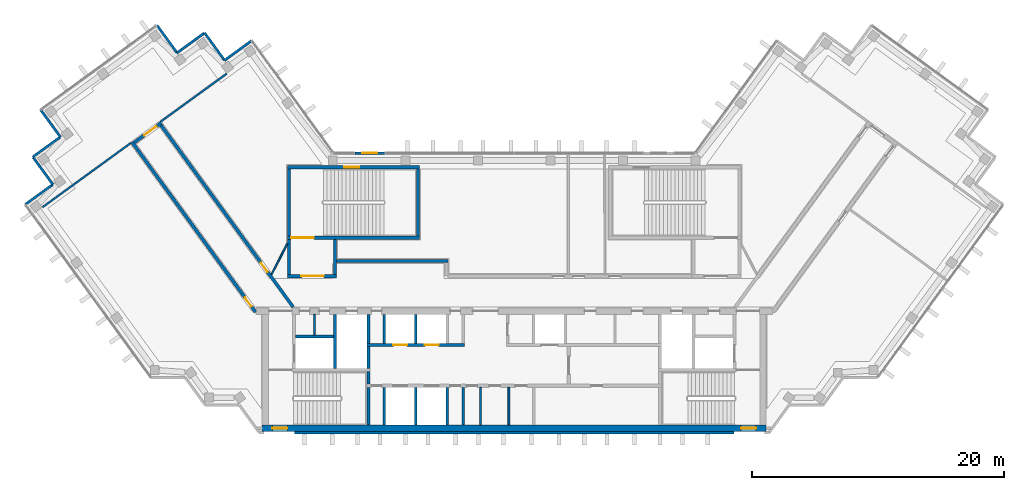
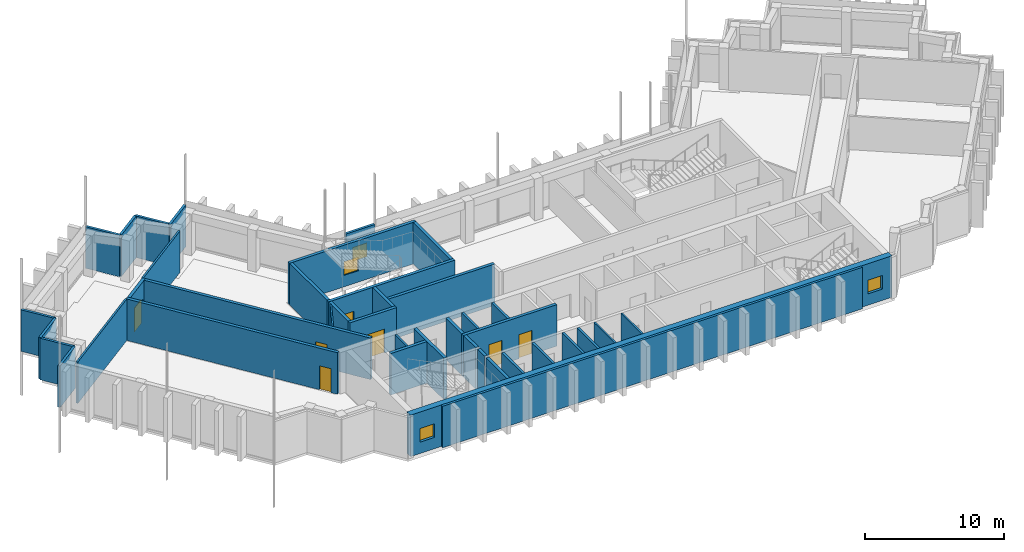
# One storey, part 8 of 13: 41 walls, 7 doors, 4 windows, 11 openings.
"""IFC4 building model written with IfcOpenShell, lengths in metres."""

from ifc_helpers import new_model, si_unit, direction, frame, frame_2d, origin, place, context, subcontext, project, spatial, rectangle, extrude, material, layer, layer_set, type_object, element, fill, save


model = new_model("IFC4")

# Units and contexts
model_context = context("Model", 3, precision=1e-05, world=origin(), true_north=direction((0.0, 1.0)))
body_context = subcontext(model_context, "Body", "Model", "MODEL_VIEW")
ifc_project = project(units=[si_unit("LENGTHUNIT", "METRE"), si_unit("AREAUNIT", "SQUARE_METRE"), si_unit("VOLUMEUNIT", "CUBIC_METRE"), si_unit("PLANEANGLEUNIT", "RADIAN"), si_unit("MASSUNIT", "GRAM", prefix="KILO")], contexts=[model_context])

# Site, building, storey
site_placement = place(None, origin())
site = spatial("IfcSite", under=ifc_project, at=site_placement, CompositionType="ELEMENT")
building_placement = place(site_placement, origin())
building = spatial("IfcBuilding", under=site, at=building_placement, Name="Quipu Civic Tower", CompositionType="ELEMENT")
storey_placement = place(building_placement, frame((0.0, 0.0, 347.0)))
storey = spatial("IfcBuildingStorey", under=building, at=storey_placement, Name="L81", CompositionType="ELEMENT", Elevation=347.0)

# Walls
ifc_material_1 = material(Name="Double gypsum plasterboard with mineral wool")
ifc_layer_1 = layer(ifc_material_1, 0.14990234375)
ifc_layer_set_1 = layer_set([ifc_layer_1], Name="Double gypsum plasterboard with mineral wool")
wall_type_1 = type_object("IfcWallType", Name="Acoustic partition 150 plasterboard", PredefinedType="PARTITIONING", material=ifc_layer_set_1)
wall_1_placement = place(storey_placement, frame((-22.818359375, 17.39599609375, 0.0), z_axis=(0.0, 0.0, 1.0), x_axis=(-0.809000932727, -0.587807358619, 0.0)))
element("IfcWall", 1, at=wall_1_placement, inside=storey, type_object=wall_type_1, Name="Partition P04", PredefinedType="PARTITIONING", context=body_context, shape_type="SweptSolid", body=[
    extrude(rectangle(XDim=6.49560546875, YDim=0.14990234375, at=frame_2d((3.247802734375, 0.0))), origin(), (0.0, 0.0, 1.0), 3.64990234375),
])
wall_2_placement = place(storey_placement, frame((-37.42919921875, 6.805419921875, 0.0), z_axis=(0.0, 0.0, 1.0), x_axis=(0.809020922653, 0.587779845444, 0.0)))
element("IfcWall", 2, at=wall_2_placement, inside=storey, type_object=wall_type_1, Name="Partition P05", PredefinedType="PARTITIONING", context=body_context, shape_type="SweptSolid", body=[
    extrude(rectangle(XDim=8.670166015625, YDim=0.14990234375, at=frame_2d((4.3349609375, 0.0))), origin(), (0.0, 0.0, 1.0), 3.64990234375),
])
ifc_material_2 = material(Name="Concrete C70/85", Category="concrete")
ifc_layer_2 = layer(ifc_material_2, 0.25)
ifc_layer_set_2 = layer_set([ifc_layer_2], Name="Concrete C70/85")
wall_type_2 = type_object("IfcWallType", Name="Core wall 250", PredefinedType="SHEAR", material=ifc_layer_set_2)
wall_3_placement = place(storey_placement, frame((-11.574951171875, -10.5, 0.0), z_axis=(0.0, 0.0, 1.0), x_axis=(0.0, 1.0, 0.0)))
element("IfcWall", 3, at=wall_3_placement, inside=storey, type_object=wall_type_2, Name="Core wall", PredefinedType="SHEAR", context=body_context, shape_type="SweptSolid", body=[
    extrude(rectangle(XDim=3.0, YDim=0.25, at=frame_2d((1.5, 0.0))), origin(), (0.0, 0.0, 1.0), 3.64990234375),
])
wall_4_placement = place(storey_placement, frame((-11.574951171875, -7.25, 0.0), z_axis=(0.0, 0.0, 1.0), x_axis=(0.0, 1.0, 0.0)))
element("IfcWall", 4, at=wall_4_placement, inside=storey, type_object=wall_type_2, Name="Core wall", PredefinedType="SHEAR", context=body_context, shape_type="SweptSolid", body=[
    extrude(rectangle(XDim=1.0, YDim=0.25, at=frame_2d((0.5, 0.0))), origin(), (0.0, 0.0, 1.0), 3.64990234375),
])
wall_5_placement = place(storey_placement, frame((-14.22509765625, -6.0, 0.0), z_axis=(0.0, 0.0, 1.0), x_axis=(0.0, 1.0, 0.0)))
element("IfcWall", 5, at=wall_5_placement, inside=storey, type_object=wall_type_2, Name="Core wall", PredefinedType="SHEAR", context=body_context, shape_type="SweptSolid", body=[
    extrude(rectangle(XDim=4.300048828125, YDim=0.25, at=frame_2d((2.14990234375, 0.0))), origin(), (0.0, 0.0, 1.0), 3.64990234375),
])
wall_6_placement = place(storey_placement, frame((-11.574951171875, -6.0, 0.0), z_axis=(0.0, 0.0, 1.0), x_axis=(0.0, 1.0, 0.0)))
element("IfcWall", 6, at=wall_6_placement, inside=storey, type_object=wall_type_2, Name="Core wall", PredefinedType="SHEAR", context=body_context, shape_type="SweptSolid", body=[
    extrude(rectangle(XDim=1.75, YDim=0.25, at=frame_2d((0.875, 0.0))), origin(), (0.0, 0.0, 1.0), 3.64990234375),
])

# Wall, openings, doors
wall_7_placement = place(storey_placement, frame((-11.699951171875, -4.125, 0.0), z_axis=(0.0, 0.0, 1.0), x_axis=(1.0, 0.0, 0.0)))
wall_7 = element("IfcWall", 7, at=wall_7_placement, inside=storey, type_object=wall_type_2, Name="Core wall", PredefinedType="SHEAR", context=body_context, shape_type="SweptSolid", body=[
    extrude(rectangle(XDim=7.75, YDim=0.25, at=frame_2d((3.875, 0.0))), origin(), (0.0, 0.0, 1.0), 3.64990234375),
])
opening_1_placement = place(wall_7_placement, frame((2.10009765625, 0.0, 0.0)))
opening_1 = element("IfcOpeningElement", 8, at=opening_1_placement, cuts=wall_7, Name="Opening LD-HL3", PredefinedType="OPENING", context=body_context, shape_type="SweptSolid", body=[
    extrude(rectangle(XDim=1.10009765625, YDim=2.10009765625, at=frame_2d((0.550048828125, 1.050048828125))), frame((0.0, 0.135009765625, 0.0), z_axis=(0.0, -1.0, 0.0), x_axis=(1.0, 0.0, 0.0)), (0.0, 0.0, 1.0), 0.27001953125),
])
opening_2_placement = place(wall_7_placement, frame((4.60009765625, 0.0, 0.0)))
opening_2 = element("IfcOpeningElement", 9, at=opening_2_placement, cuts=wall_7, Name="Opening LD-HL4", PredefinedType="OPENING", context=body_context, shape_type="SweptSolid", body=[
    extrude(rectangle(XDim=1.10009765625, YDim=2.10009765625, at=frame_2d((0.550048828125, 1.050048828125))), frame((0.0, 0.135009765625, 0.0), z_axis=(0.0, -1.0, 0.0), x_axis=(1.0, 0.0, 0.0)), (0.0, 0.0, 1.0), 0.27001953125),
])
ifc_material_3 = material(Name="Stainless steel", Category="steel")
door_type_1 = type_object("IfcDoorType", Name="Lift landing door 1100 x 2100", OperationType="DOUBLE_DOOR_SLIDING", PredefinedType="DOOR", material=ifc_material_3)
door_1_placement = place(opening_1_placement, origin())
door_1 = element("IfcDoor", 10, at=door_1_placement, inside=storey, type_object=door_type_1, Name="Landing door HL3", OperationType="DOUBLE_DOOR_SLIDING", OverallHeight=2.10009765625, OverallWidth=1.10009765625, PredefinedType="DOOR", context=body_context, shape_type="SweptSolid", body=[
    extrude(rectangle(XDim=1.10009765625, YDim=2.10009765625, at=frame_2d((0.550048828125, 1.050048828125))), frame((0.0, 0.02490234375, 0.0), z_axis=(0.0, -1.0, 0.0), x_axis=(1.0, 0.0, 0.0)), (0.0, 0.0, 1.0), 0.050048828125),
])
fill(opening_1, door_1)
door_2_placement = place(opening_2_placement, origin())
door_2 = element("IfcDoor", 11, at=door_2_placement, inside=storey, type_object=door_type_1, Name="Landing door HL4", OperationType="DOUBLE_DOOR_SLIDING", OverallHeight=2.10009765625, OverallWidth=1.10009765625, PredefinedType="DOOR", context=body_context, shape_type="SweptSolid", body=[
    extrude(rectangle(XDim=1.10009765625, YDim=2.10009765625, at=frame_2d((0.550048828125, 1.050048828125))), frame((0.0, 0.02490234375, 0.0), z_axis=(0.0, -1.0, 0.0), x_axis=(1.0, 0.0, 0.0)), (0.0, 0.0, 1.0), 0.050048828125),
])
fill(opening_2, door_2)

# Walls
wall_8_placement = place(storey_placement, frame((-11.574951171875, -4.0, 0.0), z_axis=(0.0, 0.0, 1.0), x_axis=(0.0, 1.0, 0.0)))
element("IfcWall", 12, at=wall_8_placement, inside=storey, type_object=wall_type_2, Name="Core wall", PredefinedType="SHEAR", context=body_context, shape_type="SweptSolid", body=[
    extrude(rectangle(XDim=2.300048828125, YDim=0.25, at=frame_2d((1.14990234375, 0.0))), origin(), (0.0, 0.0, 1.0), 3.64990234375),
])
wall_9_placement = place(storey_placement, frame((-17.35009765625, -3.47509765625, 0.0), z_axis=(0.0, 0.0, 1.0), x_axis=(1.0, 0.0, 0.0)))
element("IfcWall", 13, at=wall_9_placement, inside=storey, type_object=wall_type_2, Name="Core wall", PredefinedType="SHEAR", context=body_context, shape_type="SweptSolid", body=[
    extrude(rectangle(XDim=3.0, YDim=0.25, at=frame_2d((1.5, 0.0))), origin(), (0.0, 0.0, 1.0), 3.64990234375),
])

# Wall, opening, door
wall_10_placement = place(storey_placement, frame((-18.0, 1.324951171875, 0.0), z_axis=(0.0, 0.0, 1.0), x_axis=(1.0, 0.0, 0.0)))
wall_10 = element("IfcWall", 14, at=wall_10_placement, inside=storey, type_object=wall_type_2, Name="Core wall", PredefinedType="SHEAR", context=body_context, shape_type="SweptSolid", body=[
    extrude(rectangle(XDim=3.89990234375, YDim=0.25, at=frame_2d((1.949951171875, 0.0))), origin(), (0.0, 0.0, 1.0), 3.64990234375),
])
opening_3_placement = place(wall_10_placement, frame((1.10009765625, 0.0, 0.0)))
opening_3 = element("IfcOpeningElement", 15, at=opening_3_placement, cuts=wall_10, Name="Opening CD-23", PredefinedType="OPENING", context=body_context, shape_type="SweptSolid", body=[
    extrude(rectangle(XDim=1.800048828125, YDim=2.10009765625, at=frame_2d((0.89990234375, 1.050048828125))), frame((0.0, 0.135009765625, 0.0), z_axis=(0.0, -1.0, 0.0), x_axis=(1.0, 0.0, 0.0)), (0.0, 0.0, 1.0), 0.27001953125),
])
ifc_material_4 = material(Name="Fire rated steel door", Category="steel")
door_type_2 = type_object("IfcDoorType", Name="Fire door FD90 double 1800 x 2100", OperationType="NOTDEFINED", PredefinedType="DOOR", material=ifc_material_4)
door_3_placement = place(opening_3_placement, origin())
door_3 = element("IfcDoor", 16, at=door_3_placement, inside=storey, type_object=door_type_2, Name="Lobby door", OperationType="DOUBLE_DOOR_SINGLE_SWING", OverallHeight=2.10009765625, OverallWidth=1.800048828125, PredefinedType="DOOR", context=body_context, shape_type="SweptSolid", body=[
    extrude(rectangle(XDim=1.800048828125, YDim=2.10009765625, at=frame_2d((0.89990234375, 1.050048828125))), frame((0.0, 0.02490234375, 0.0), z_axis=(0.0, -1.0, 0.0), x_axis=(1.0, 0.0, 0.0)), (0.0, 0.0, 1.0), 0.050048828125),
])
fill(opening_3, door_3)

# Walls
for number, where, z_axis, x_axis, name in (
    (17, (-17.875, 1.449951171875, 0.0), (0.0, 0.0, 1.0), (0.0, 1.0, 0.0), "Core wall"),
    (18, (-14.22509765625, 1.449951171875, 0.0), (0.0, 0.0, 1.0), (0.0, 1.0, 0.0), "Core wall"),
):
    element("IfcWall", number, at=place(storey_placement, frame(where, z_axis=z_axis, x_axis=x_axis)), inside=storey, type_object=wall_type_2, Name=name, PredefinedType="SHEAR", context=body_context, shape_type="SweptSolid", body=[
        extrude(rectangle(XDim=2.800048828125, YDim=0.25, at=frame_2d((1.39990234375, 0.0))), origin(), (0.0, 0.0, 1.0), 3.64990234375),
    ])

# Wall, opening, door
wall_11_placement = place(storey_placement, frame((-18.0, 4.375, 0.0), z_axis=(0.0, 0.0, 1.0), x_axis=(1.0, 0.0, 0.0)))
wall_11 = element("IfcWall", 19, at=wall_11_placement, inside=storey, type_object=wall_type_2, Name="Core wall", PredefinedType="SHEAR", context=body_context, shape_type="SweptSolid", body=[
    extrude(rectangle(XDim=10.5, YDim=0.25, at=frame_2d((5.25, 0.0))), origin(), (0.0, 0.0, 1.0), 3.64990234375),
])
opening_4_placement = place(wall_11_placement, frame((0.300048828125, 0.0, 0.0)))
opening_4 = element("IfcOpeningElement", 20, at=opening_4_placement, cuts=wall_11, Name="Opening CD-24", PredefinedType="OPENING", context=body_context, shape_type="SweptSolid", body=[
    extrude(rectangle(XDim=1.800048828125, YDim=2.10009765625, at=frame_2d((0.89990234375, 1.050048828125))), frame((0.0, 0.135009765625, 0.0), z_axis=(0.0, -1.0, 0.0), x_axis=(1.0, 0.0, 0.0)), (0.0, 0.0, 1.0), 0.27001953125),
])
door_4_placement = place(opening_4_placement, origin())
door_4 = element("IfcDoor", 21, at=door_4_placement, inside=storey, type_object=door_type_2, Name="Door", OperationType="DOUBLE_DOOR_SINGLE_SWING", OverallHeight=2.10009765625, OverallWidth=1.800048828125, PredefinedType="DOOR", context=body_context, shape_type="SweptSolid", body=[
    extrude(rectangle(XDim=1.800048828125, YDim=2.10009765625, at=frame_2d((0.89990234375, 1.050048828125))), frame((0.0, 0.02490234375, 0.0), z_axis=(0.0, -1.0, 0.0), x_axis=(1.0, 0.0, 0.0)), (0.0, 0.0, 1.0), 0.050048828125),
])
fill(opening_4, door_4)

# Walls
for number, where, z_axis, x_axis, name in (
    (22, (-17.875, 4.5, 0.0), (0.0, 0.0, 1.0), (0.0, 1.0, 0.0), "Core wall"),
    (23, (-7.625, 4.5, 0.0), (0.0, 0.0, 1.0), (0.0, 1.0, 0.0), "Core wall"),
):
    element("IfcWall", number, at=place(storey_placement, frame(where, z_axis=z_axis, x_axis=x_axis)), inside=storey, type_object=wall_type_2, Name=name, PredefinedType="SHEAR", context=body_context, shape_type="SweptSolid", body=[
        extrude(rectangle(XDim=5.35009765625, YDim=0.25, at=frame_2d((2.675048828125, 0.0))), origin(), (0.0, 0.0, 1.0), 3.64990234375),
    ])

# Wall, opening, window
wall_12_placement = place(storey_placement, frame((-18.0, 9.97509765625, 0.0), z_axis=(0.0, 0.0, 1.0), x_axis=(1.0, 0.0, 0.0)))
wall_12 = element("IfcWall", 24, at=wall_12_placement, inside=storey, type_object=wall_type_2, Name="Core wall", PredefinedType="SHEAR", context=body_context, shape_type="SweptSolid", body=[
    extrude(rectangle(XDim=10.5, YDim=0.25, at=frame_2d((5.25, 0.0))), origin(), (0.0, 0.0, 1.0), 3.64990234375),
])
opening_5_placement = place(wall_12_placement, frame((4.5, 0.0, 1.0)))
opening_5 = element("IfcOpeningElement", 25, at=opening_5_placement, cuts=wall_12, Name="Opening SV-3", PredefinedType="OPENING", context=body_context, shape_type="SweptSolid", body=[
    extrude(rectangle(XDim=1.199951171875, YDim=1.199951171875, at=frame_2d((0.60009765625, 0.60009765625))), frame((0.0, 0.135009765625, 0.0), z_axis=(0.0, -1.0, 0.0), x_axis=(1.0, 0.0, 0.0)), (0.0, 0.0, 1.0), 0.27001953125),
])
ifc_material_5 = material(Name="Aluminium louvre", Category="aluminium")
window_type_1 = type_object("IfcWindowType", Name="Stair ventilation louvre 1200 x 1200", PartitioningType="SINGLE_PANEL", PredefinedType="WINDOW", material=ifc_material_5)
window_1_placement = place(opening_5_placement, origin())
window_1 = element("IfcWindow", 26, at=window_1_placement, inside=storey, type_object=window_type_1, Name="Stair ventilation opening", OverallHeight=1.199951171875, OverallWidth=1.199951171875, PartitioningType="SINGLE_PANEL", PredefinedType="WINDOW", context=body_context, shape_type="SweptSolid", body=[
    extrude(rectangle(XDim=1.199951171875, YDim=1.199951171875, at=frame_2d((0.60009765625, 0.60009765625))), frame((0.0, 0.030029296875, 0.0), z_axis=(0.0, -1.0, 0.0), x_axis=(1.0, 0.0, 0.0)), (0.0, 0.0, 1.0), 0.06005859375),
])
fill(opening_5, window_1)

# Wall, openings, windows
ifc_material_6 = material(Name="Concrete C70/85", Category="concrete")
ifc_layer_3 = layer(ifc_material_6, 0.5)
ifc_layer_set_3 = layer_set([ifc_layer_3], Name="Concrete C70/85")
wall_type_3 = type_object("IfcWallType", Name="Core wall 500", PredefinedType="SHEAR", material=ifc_layer_set_3)
wall_13_placement = place(storey_placement, frame((-20.0, -10.75, 0.0), z_axis=(0.0, 0.0, 1.0), x_axis=(1.0, 0.0, 0.0)))
wall_13 = element("IfcWall", 27, at=wall_13_placement, inside=storey, type_object=wall_type_3, Name="Core wall", PredefinedType="SHEAR", context=body_context, shape_type="SweptSolid", body=[
    extrude(rectangle(XDim=40.0, YDim=0.5, at=frame_2d((20.0, 0.0))), origin(), (0.0, 0.0, 1.0), 3.64990234375),
])
opening_6_placement = place(wall_13_placement, frame((0.800048828125, 0.0, 1.0)))
opening_6 = element("IfcOpeningElement", 28, at=opening_6_placement, cuts=wall_13, Name="Opening SV-1", PredefinedType="OPENING", context=body_context, shape_type="SweptSolid", body=[
    extrude(rectangle(XDim=1.199951171875, YDim=1.199951171875, at=frame_2d((0.60009765625, 0.60009765625))), frame((0.0, 0.260009765625, 0.0), z_axis=(0.0, -1.0, 0.0), x_axis=(1.0, 0.0, 0.0)), (0.0, 0.0, 1.0), 0.52001953125),
])
opening_7_placement = place(wall_13_placement, frame((38.0, 0.0, 1.0)))
opening_7 = element("IfcOpeningElement", 29, at=opening_7_placement, cuts=wall_13, Name="Opening SV-2", PredefinedType="OPENING", context=body_context, shape_type="SweptSolid", body=[
    extrude(rectangle(XDim=1.199951171875, YDim=1.199951171875, at=frame_2d((0.60009765625, 0.60009765625))), frame((0.0, 0.260009765625, 0.0), z_axis=(0.0, -1.0, 0.0), x_axis=(1.0, 0.0, 0.0)), (0.0, 0.0, 1.0), 0.52001953125),
])
window_2_placement = place(opening_6_placement, origin())
window_2 = element("IfcWindow", 30, at=window_2_placement, inside=storey, type_object=window_type_1, Name="Stair ventilation opening", OverallHeight=1.199951171875, OverallWidth=1.199951171875, PartitioningType="SINGLE_PANEL", PredefinedType="WINDOW", context=body_context, shape_type="SweptSolid", body=[
    extrude(rectangle(XDim=1.199951171875, YDim=1.199951171875, at=frame_2d((0.60009765625, 0.60009765625))), frame((0.0, 0.030029296875, 0.0), z_axis=(0.0, -1.0, 0.0), x_axis=(1.0, 0.0, 0.0)), (0.0, 0.0, 1.0), 0.06005859375),
])
fill(opening_6, window_2)
window_3_placement = place(opening_7_placement, origin())
window_3 = element("IfcWindow", 31, at=window_3_placement, inside=storey, type_object=window_type_1, Name="Stair ventilation opening", OverallHeight=1.199951171875, OverallWidth=1.199951171875, PartitioningType="SINGLE_PANEL", PredefinedType="WINDOW", context=body_context, shape_type="SweptSolid", body=[
    extrude(rectangle(XDim=1.199951171875, YDim=1.199951171875, at=frame_2d((0.60009765625, 0.60009765625))), frame((0.0, 0.030029296875, 0.0), z_axis=(0.0, -1.0, 0.0), x_axis=(1.0, 0.0, 0.0)), (0.0, 0.0, 1.0), 0.06005859375),
])
fill(opening_7, window_3)

# Wall, opening, door
ifc_material_7 = material(Name="Concrete C50/60", Category="concrete")
ifc_layer_4 = layer(ifc_material_7, 0.25)
ifc_layer_set_4 = layer_set([ifc_layer_4], Name="Concrete C50/60")
wall_type_4 = type_object("IfcWallType", Name="Corridor wall 250 concrete", PredefinedType="SOLIDWALL", material=ifc_layer_set_4)
wall_14_placement = place(storey_placement, frame((-20.531005859375, -1.5234375, 0.0), z_axis=(0.0, 0.0, 1.0), x_axis=(-0.587785867777, 0.809016547199, 0.0)))
wall_14 = element("IfcWall", 32, at=wall_14_placement, inside=storey, type_object=wall_type_4, Name="Corridor wall C04", PredefinedType="SOLIDWALL", context=body_context, shape_type="SweptSolid", body=[
    extrude(rectangle(XDim=16.67041015625, YDim=0.25, at=frame_2d((8.335205078125, 0.0))), origin(), (0.0, 0.0, 1.0), 3.64990234375),
])
opening_8_placement = place(wall_14_placement, frame((0.53271484375, 0.0, 0.0)))
opening_8 = element("IfcOpeningElement", 33, at=opening_8_placement, cuts=wall_14, Name="Opening D009", PredefinedType="OPENING", context=body_context, shape_type="SweptSolid", body=[
    extrude(rectangle(XDim=0.89990234375, YDim=2.10009765625, at=frame_2d((0.449951171875, 1.050048828125))), frame((0.0, 0.135009765625, 0.0), z_axis=(0.0, -1.0, 0.0), x_axis=(1.0, 0.0, 0.0)), (0.0, 0.0, 1.0), 0.27001953125),
])
ifc_material_8 = material(Name="Fire rated timber door set with metal frame", Category="wood")
door_type_3 = type_object("IfcDoorType", Name="Single door 900 x 2100 FD60", OperationType="NOTDEFINED", PredefinedType="DOOR", material=ifc_material_8)
door_5_placement = place(opening_8_placement, origin())
door_5 = element("IfcDoor", 34, at=door_5_placement, inside=storey, type_object=door_type_3, Name="Door D009", OperationType="SINGLE_SWING_LEFT", OverallHeight=2.10009765625, OverallWidth=0.89990234375, PredefinedType="DOOR", context=body_context, shape_type="SweptSolid", body=[
    extrude(rectangle(XDim=0.89990234375, YDim=2.10009765625, at=frame_2d((0.449951171875, 1.050048828125))), frame((0.0, 0.02490234375, 0.0), z_axis=(0.0, -1.0, 0.0), x_axis=(1.0, 0.0, 0.0)), (0.0, 0.0, 1.0), 0.050048828125),
])
fill(opening_8, door_5)

wall_15_placement = place(storey_placement, frame((-30.155029296875, 11.935546875, 0.0), z_axis=(0.0, 0.0, 1.0), x_axis=(0.809038743598, 0.587755315891, 0.0)))
wall_15 = element("IfcWall", 35, at=wall_15_placement, inside=storey, type_object=wall_type_4, Name="Corridor wall C05", PredefinedType="SOLIDWALL", context=body_context, shape_type="SweptSolid", body=[
    extrude(rectangle(XDim=2.650146484375, YDim=0.25, at=frame_2d((1.3251953125, 0.0))), origin(), (0.0, 0.0, 1.0), 3.64990234375),
])
opening_9_placement = place(wall_15_placement, frame((0.9755859375, 0.0, 0.0)))
opening_9 = element("IfcOpeningElement", 36, at=opening_9_placement, cuts=wall_15, Name="Opening D010", PredefinedType="OPENING", context=body_context, shape_type="SweptSolid", body=[
    extrude(rectangle(XDim=1.199951171875, YDim=2.10009765625, at=frame_2d((0.60009765625, 1.050048828125))), frame((0.0, 0.135009765625, 0.0), z_axis=(0.0, -1.0, 0.0), x_axis=(1.0, 0.0, 0.0)), (0.0, 0.0, 1.0), 0.27001953125),
])
ifc_material_9 = material(Name="Fire rated timber door set with metal frame", Category="wood")
door_type_4 = type_object("IfcDoorType", Name="Single door 1200 x 2100 FD60", OperationType="NOTDEFINED", PredefinedType="DOOR", material=ifc_material_9)
door_6_placement = place(opening_9_placement, origin())
door_6 = element("IfcDoor", 37, at=door_6_placement, inside=storey, type_object=door_type_4, Name="Door D010", OperationType="SINGLE_SWING_RIGHT", OverallHeight=2.10009765625, OverallWidth=1.199951171875, PredefinedType="DOOR", context=body_context, shape_type="SweptSolid", body=[
    extrude(rectangle(XDim=1.199951171875, YDim=2.10009765625, at=frame_2d((0.60009765625, 1.050048828125))), frame((0.0, 0.02490234375, 0.0), z_axis=(0.0, -1.0, 0.0), x_axis=(1.0, 0.0, 0.0)), (0.0, 0.0, 1.0), 0.050048828125),
])
fill(opening_9, door_6)

wall_16_placement = place(storey_placement, frame((-28.038818359375, 13.318603515625, 0.0), z_axis=(0.0, 0.0, 1.0), x_axis=(0.587791911753, -0.809012155952, 0.0)))
wall_16 = element("IfcWall", 38, at=wall_16_placement, inside=storey, type_object=wall_type_4, Name="Corridor wall C06", PredefinedType="SOLIDWALL", context=body_context, shape_type="SweptSolid", body=[
    extrude(rectangle(XDim=17.85302734375, YDim=0.25, at=frame_2d((8.926513671875, 0.0))), origin(), (0.0, 0.0, 1.0), 3.64990234375),
])
opening_10_placement = place(wall_16_placement, frame((13.51171875, 0.0, 0.0)))
opening_10 = element("IfcOpeningElement", 39, at=opening_10_placement, cuts=wall_16, Name="Opening D008", PredefinedType="OPENING", context=body_context, shape_type="SweptSolid", body=[
    extrude(rectangle(XDim=0.89990234375, YDim=2.10009765625, at=frame_2d((0.449951171875, 1.050048828125))), frame((0.0, 0.135009765625, 0.0), z_axis=(0.0, -1.0, 0.0), x_axis=(1.0, 0.0, 0.0)), (0.0, 0.0, 1.0), 0.27001953125),
])
door_7_placement = place(opening_10_placement, origin())
door_7 = element("IfcDoor", 40, at=door_7_placement, inside=storey, type_object=door_type_3, Name="Door D008", OperationType="SINGLE_SWING_RIGHT", OverallHeight=2.10009765625, OverallWidth=0.89990234375, PredefinedType="DOOR", context=body_context, shape_type="SweptSolid", body=[
    extrude(rectangle(XDim=0.89990234375, YDim=2.10009765625, at=frame_2d((0.449951171875, 1.050048828125))), frame((0.0, 0.02490234375, 0.0), z_axis=(0.0, -1.0, 0.0), x_axis=(1.0, 0.0, 0.0)), (0.0, 0.0, 1.0), 0.050048828125),
])
fill(opening_10, door_7)

# Walls
wall_17_placement = place(storey_placement, frame((-14.090087890625, 2.52490234375, 0.0), z_axis=(0.0, 0.0, 1.0), x_axis=(1.0, 0.0, 0.0)))
element("IfcWall", 41, at=wall_17_placement, inside=storey, type_object=wall_type_4, Name="Corridor wall C07", PredefinedType="SOLIDWALL", context=body_context, shape_type="SweptSolid", body=[
    extrude(rectangle(XDim=8.840087890625, YDim=0.25, at=frame_2d((4.419921875, 0.0))), origin(), (0.0, 0.0, 1.0), 3.64990234375),
])
ifc_material_10 = material(Name="Gypsum plasterboard on light gauge framing")
ifc_layer_5 = layer(ifc_material_10, 0.1201171875)
ifc_layer_set_5 = layer_set([ifc_layer_5], Name="Gypsum plasterboard on light gauge framing")
wall_type_5 = type_object("IfcWallType", Name="Partition 120 plasterboard", PredefinedType="PARTITIONING", material=ifc_layer_set_5)
wall_18_placement = place(storey_placement, frame((-19.260986328125, 1.449951171875, 0.0), z_axis=(0.0, 0.0, 1.0), x_axis=(0.453950796792, 0.891026752736, 0.0)))
element("IfcWall", 42, at=wall_18_placement, inside=storey, type_object=wall_type_5, Name="Partition P09", PredefinedType="PARTITIONING", context=body_context, shape_type="SweptSolid", body=[
    extrude(rectangle(XDim=2.77783203125, YDim=0.1201171875, at=frame_2d((1.388916015625, 0.0))), origin(), (0.0, 0.0, 1.0), 3.64990234375),
])
ifc_material_11 = material(Name="Gypsum board partition")
ifc_layer_6 = layer(ifc_material_11, 0.14990234375)
ifc_layer_set_6 = layer_set([ifc_layer_6], Name="Gypsum board partition")
wall_type_6 = type_object("IfcWallType", Name="Partition 150", PredefinedType="PARTITIONING", material=ifc_layer_set_6)
for number, where, z_axis, x_axis, name in (
    (43, (-2.675048828125, -10.5, 0.0), (0.0, 0.0, 1.0), (0.0, 1.0, 0.0), "Partition"),
    (44, (-0.425048828125, -10.5, 0.0), (0.0, 0.0, 1.0), (0.0, 1.0, 0.0), "Partition"),
):
    element("IfcWall", number, at=place(storey_placement, frame(where, z_axis=z_axis, x_axis=x_axis)), inside=storey, type_object=wall_type_6, Name=name, PredefinedType="PARTITIONING", context=body_context, shape_type="SweptSolid", body=[
        extrude(rectangle(XDim=3.0, YDim=0.14990234375, at=frame_2d((1.5, 0.0))), origin(), (0.0, 0.0, 1.0), 3.64990234375),
    ])
wall_19_placement = place(storey_placement, frame((-15.85009765625, -3.35009765625, 0.0), z_axis=(0.0, 0.0, 1.0), x_axis=(0.0, 1.0, 0.0)))
element("IfcWall", 45, at=wall_19_placement, inside=storey, type_object=wall_type_6, Name="Partition", PredefinedType="PARTITIONING", context=body_context, shape_type="SweptSolid", body=[
    extrude(rectangle(XDim=1.650146484375, YDim=0.14990234375, at=frame_2d((0.8251953125, 0.0))), origin(), (0.0, 0.0, 1.0), 3.64990234375),
])
ifc_material_12 = material(Name="Precast concrete C40/50", Category="concrete")
wall_type_7 = type_object("IfcWallType", Name="Precast cladding wall", PredefinedType="SOLIDWALL", material=ifc_material_12)
for number, where, z_axis, x_axis, name in (
    (46, (-20.828857421875, 20.025390625, 0.0), (0.0, 0.0, 1.0), (-0.808990163075, -0.587822180636, 0.0), "Precast cladding wall L81 P05"),
    (47, (-22.996337890625, 18.465576171875, 0.0), (0.0, 0.0, 1.0), (-0.587762999008, 0.809033161865, 0.0), "Precast cladding wall L81 P06"),
):
    element("IfcWall", number, at=place(storey_placement, frame(where, z_axis=z_axis, x_axis=x_axis)), inside=storey, type_object=wall_type_7, Name=name, PredefinedType="SOLIDWALL", context=body_context, shape_type="SweptSolid", body=[
        extrude(rectangle(XDim=2.699951171875, YDim=0.199951171875, at=frame_2d((1.35009765625, 0.0))), origin(), (0.0, 0.0, 1.0), 3.64990234375),
    ])
for number, where, z_axis, x_axis, name in (
    (48, (-24.60009765625, 20.62255859375, 0.0), (0.0, 0.0, 1.0), (-0.809064397168, -0.587720002413, 0.0), "Precast cladding wall L81 P07"),
    (49, (-26.767578125, 19.062744140625, 0.0), (0.0, 0.0, 1.0), (-0.587720002413, 0.809064397168, 0.0), "Precast cladding wall L81 P08"),
):
    element("IfcWall", number, at=place(storey_placement, frame(where, z_axis=z_axis, x_axis=x_axis)), inside=storey, type_object=wall_type_7, Name=name, PredefinedType="SOLIDWALL", context=body_context, shape_type="SweptSolid", body=[
        extrude(rectangle(XDim=2.7001953125, YDim=0.199951171875, at=frame_2d((1.35009765625, 0.0))), origin(), (0.0, 0.0, 1.0), 3.64990234375),
    ])
for number, where, z_axis, x_axis, name in (
    (50, (-37.591796875, 14.535888671875, 0.0), (0.0, 0.0, 1.0), (0.587762999008, -0.809033161865, 0.0), "Precast cladding wall L81 P10"),
    (51, (-36.031982421875, 12.36865234375, 0.0), (0.0, 0.0, 1.0), (-0.809033161865, -0.587762999008, 0.0), "Precast cladding wall L81 P11"),
    (52, (-38.189208984375, 10.7646484375, 0.0), (0.0, 0.0, 1.0), (0.587822180636, -0.808990163075, 0.0), "Precast cladding wall L81 P12"),
    (53, (-36.62939453125, 8.597412109375, 0.0), (0.0, 0.0, 1.0), (-0.809033161865, -0.587762999008, 0.0), "Precast cladding wall L81 P13"),
):
    element("IfcWall", number, at=place(storey_placement, frame(where, z_axis=z_axis, x_axis=x_axis)), inside=storey, type_object=wall_type_7, Name=name, PredefinedType="SOLIDWALL", context=body_context, shape_type="SweptSolid", body=[
        extrude(rectangle(XDim=2.699951171875, YDim=0.199951171875, at=frame_2d((1.35009765625, 0.0))), origin(), (0.0, 0.0, 1.0), 3.64990234375),
    ])
wall_20_placement = place(storey_placement, frame((-17.44384765625, -11.087890625, 0.0), z_axis=(0.0, 0.0, 1.0), x_axis=(1.0, 0.0, 0.0)))
element("IfcWall", 54, at=wall_20_placement, inside=storey, type_object=wall_type_7, Name="Precast cladding wall L81 P20", PredefinedType="SOLIDWALL", context=body_context, shape_type="SweptSolid", body=[
    extrude(rectangle(XDim=34.8876953125, YDim=0.199951171875, at=frame_2d((17.44384765625, 0.0))), origin(), (0.0, 0.0, 1.0), 3.64990234375),
])

# Wall, opening, window
wall_21_placement = place(storey_placement, frame((-10.263427734375, 11.10009765625, 0.0), z_axis=(0.0, 0.0, 1.0), x_axis=(-1.0, 0.0, 0.0)))
wall_21 = element("IfcWall", 55, at=wall_21_placement, inside=storey, type_object=wall_type_7, Name="Vent surround SF-L80-1", PredefinedType="SOLIDWALL", context=body_context, shape_type="SweptSolid", body=[
    extrude(rectangle(XDim=2.3916015625, YDim=0.199951171875, at=frame_2d((1.19580078125, 0.0))), origin(), (0.0, 0.0, 1.0), 3.64990234375),
])
opening_11_placement = place(wall_21_placement, frame((0.595703125, 0.0, 1.0)))
opening_11 = element("IfcOpeningElement", 56, at=opening_11_placement, cuts=wall_21, Name="Opening SF-L80-1", PredefinedType="OPENING", context=body_context, shape_type="SweptSolid", body=[
    extrude(rectangle(XDim=1.199951171875, YDim=1.199951171875, at=frame_2d((0.60009765625, 0.60009765625))), frame((0.0, 0.10986328125, 0.0), z_axis=(0.0, -1.0, 0.0), x_axis=(1.0, 0.0, 0.0)), (0.0, 0.0, 1.0), 0.219970703125),
])
ifc_material_13 = material(Name="Anodised aluminium louvre", Category="aluminium")
window_type_2 = type_object("IfcWindowType", Name="Stair vent louvre window P3", PartitioningType="SINGLE_PANEL", PredefinedType="WINDOW", material=ifc_material_13)
window_4_placement = place(opening_11_placement, origin())
window_4 = element("IfcWindow", 57, at=window_4_placement, inside=storey, type_object=window_type_2, Name="Stair vent louvre SF-L80-1", OverallHeight=1.199951171875, OverallWidth=1.199951171875, PartitioningType="SINGLE_PANEL", PredefinedType="WINDOW", context=body_context, shape_type="SweptSolid", body=[
    extrude(rectangle(XDim=1.199951171875, YDim=1.199951171875, at=frame_2d((0.60009765625, 0.60009765625))), frame((0.0, 0.030029296875, 0.0), z_axis=(0.0, -1.0, 0.0), x_axis=(1.0, 0.0, 0.0)), (0.0, 0.0, 1.0), 0.06005859375),
])
fill(opening_11, window_4)

# Walls
ifc_material_14 = material(Name="Concrete C40/50", Category="concrete")
ifc_layer_7 = layer(ifc_material_14, 0.199951171875)
ifc_layer_set_7 = layer_set([ifc_layer_7], Name="Concrete C40/50")
wall_type_8 = type_object("IfcWallType", Name="Shaft wall 200", PredefinedType="SOLIDWALL", material=ifc_layer_set_7)
for number, where, z_axis, x_axis, name in (
    (58, (-10.300048828125, -10.5, 0.0), (0.0, 0.0, 1.0), (0.0, 1.0, 0.0), "Shaft wall"),
    (59, (-7.800048828125, -10.5, 0.0), (0.0, 0.0, 1.0), (0.0, 1.0, 0.0), "Shaft wall"),
    (60, (-5.300048828125, -10.5, 0.0), (0.0, 0.0, 1.0), (0.0, 1.0, 0.0), "Shaft wall"),
    (61, (-4.050048828125, -10.5, 0.0), (0.0, 0.0, 1.0), (0.0, 1.0, 0.0), "Shaft wall"),
):
    element("IfcWall", number, at=place(storey_placement, frame(where, z_axis=z_axis, x_axis=x_axis)), inside=storey, type_object=wall_type_8, Name=name, PredefinedType="SOLIDWALL", context=body_context, shape_type="SweptSolid", body=[
        extrude(rectangle(XDim=3.0, YDim=0.199951171875, at=frame_2d((1.5, 0.0))), origin(), (0.0, 0.0, 1.0), 3.64990234375),
    ])
for number, where, z_axis, x_axis, name in (
    (62, (-10.300048828125, -4.0, 0.0), (0.0, 0.0, 1.0), (0.0, 1.0, 0.0), "Shaft wall"),
    (63, (-7.800048828125, -4.0, 0.0), (0.0, 0.0, 1.0), (0.0, 1.0, 0.0), "Shaft wall"),
):
    element("IfcWall", number, at=place(storey_placement, frame(where, z_axis=z_axis, x_axis=x_axis)), inside=storey, type_object=wall_type_8, Name=name, PredefinedType="SOLIDWALL", context=body_context, shape_type="SweptSolid", body=[
        extrude(rectangle(XDim=2.300048828125, YDim=0.199951171875, at=frame_2d((1.14990234375, 0.0))), origin(), (0.0, 0.0, 1.0), 3.64990234375),
    ])

save(model, "model.ifc")
